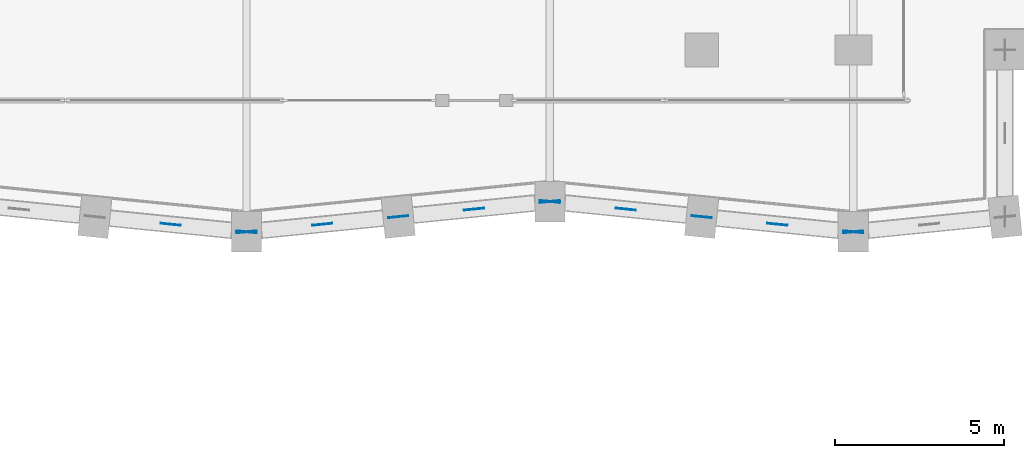
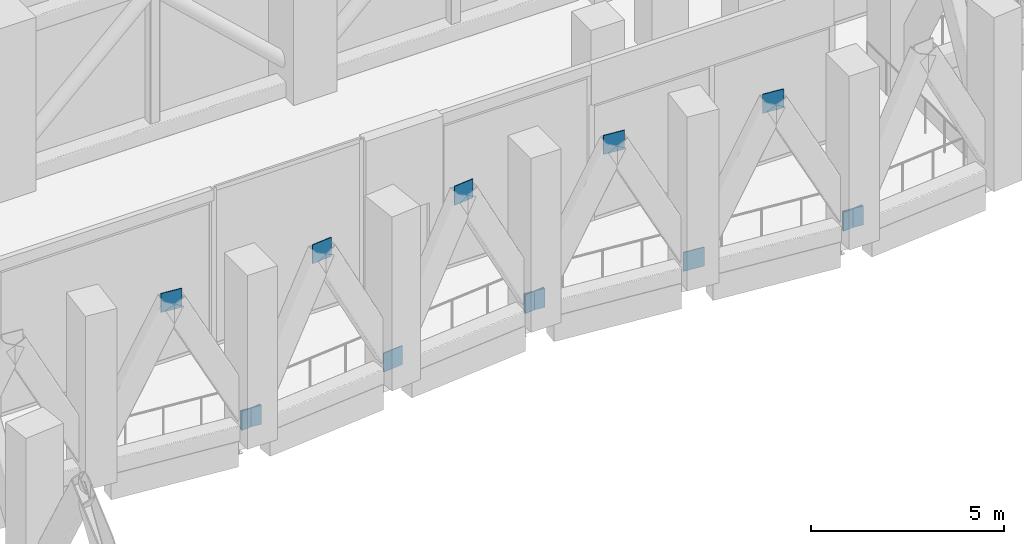
# One storey, part 28 of 37: 13 discrete accessories.
"""IFC4 building model written with IfcOpenShell, lengths in metres."""

from ifc_helpers import new_model, si_unit, direction, frame, origin, origin_2d, place, context, subcontext, project, spatial, rectangle, extrude, material, layer, layer_set, type_object, element, save


model = new_model("IFC4")

# Units and contexts
model_context = context("Model", 3, precision=1e-05, world=origin(), true_north=direction((0.0, 1.0)))
body_context = subcontext(model_context, "Body", "Model", "MODEL_VIEW")
ifc_project = project(units=[si_unit("LENGTHUNIT", "METRE"), si_unit("AREAUNIT", "SQUARE_METRE"), si_unit("VOLUMEUNIT", "CUBIC_METRE"), si_unit("PLANEANGLEUNIT", "RADIAN"), si_unit("MASSUNIT", "GRAM", prefix="KILO")], contexts=[model_context])

# Site, building, storey
site_placement = place(None, origin())
site = spatial("IfcSite", under=ifc_project, at=site_placement, CompositionType="ELEMENT")
building_placement = place(site_placement, origin())
building = spatial("IfcBuilding", under=site, at=building_placement, Name="Brondeck Convention Tower", CompositionType="ELEMENT")
storey_placement = place(building_placement, frame((0.0, 0.0, 137.89990234375)))
storey = spatial("IfcBuildingStorey", under=building, at=storey_placement, Name="L33", CompositionType="ELEMENT", Elevation=137.89990234375)

# Discrete accessories
ifc_material = material(Name="Steel S460", Category="steel")
ifc_layer = layer(ifc_material, 0.02490234375)
ifc_layer_set = layer_set([ifc_layer], Name="Gusset plate 600x600x25 Steel S460")
discrete_accessory_type = type_object("IfcDiscreteAccessoryType", Name="Gusset plate 600x600x25 Steel S460", PredefinedType="BRACKET", material=ifc_layer_set)
for number, where, z_axis, x_axis, name in (
    (1, (42.75, 26.324951171875, 4.550048828125), (0.0, 0.0, 1.0), (-0.9950364836, 0.099510784867, 0.0), "Gusset plate GP-373"),
    (2, (45.0, 26.10009765625, 0.199951171875), (0.0, 0.0, 1.0), (-0.9950364836, 0.099510784867, 0.0), "Gusset plate GP-374"),
    (3, (45.0, 26.10009765625, 0.199951171875), (0.0, 0.0, 1.0), (0.9950364836, 0.099510784867, 0.0), "Gusset plate GP-375"),
    (4, (47.25, 26.324951171875, 4.550048828125), (0.0, 0.0, 1.0), (0.9950364836, 0.099510784867, 0.0), "Gusset plate GP-376"),
    (5, (49.5, 26.550048828125, 0.199951171875), (0.0, 0.0, 1.0), (0.9950364836, 0.099510784867, 0.0), "Gusset plate GP-377"),
    (6, (51.75, 26.77490234375, 4.550048828125), (0.0, 0.0, 1.0), (0.9950364836, 0.099510784867, 0.0), "Gusset plate GP-378"),
    (7, (54.0, 27.0, 0.199951171875), (0.0, 0.0, 1.0), (0.9950364836, 0.099510784867, 0.0), "Gusset plate GP-379"),
    (8, (54.0, 27.0, 0.199951171875), (0.0, 0.0, 1.0), (-0.9950364836, 0.099510784867, 0.0), "Gusset plate GP-380"),
    (9, (56.25, 26.77490234375, 4.550048828125), (0.0, 0.0, 1.0), (-0.9950364836, 0.099510784867, 0.0), "Gusset plate GP-381"),
    (10, (58.5, 26.550048828125, 0.199951171875), (0.0, 0.0, 1.0), (-0.9950364836, 0.099510784867, 0.0), "Gusset plate GP-382"),
    (11, (60.75, 26.324951171875, 4.550048828125), (0.0, 0.0, 1.0), (-0.9950364836, 0.099510784867, 0.0), "Gusset plate GP-383"),
    (12, (63.0, 26.10009765625, 0.199951171875), (0.0, 0.0, 1.0), (-0.9950364836, 0.099510784867, 0.0), "Gusset plate GP-384"),
    (13, (63.0, 26.10009765625, 0.199951171875), (0.0, 0.0, 1.0), (0.9950364836, 0.099510784867, 0.0), "Gusset plate GP-385"),
):
    element("IfcDiscreteAccessory", number, at=place(storey_placement, frame(where, z_axis=z_axis, x_axis=x_axis)), inside=storey, type_object=discrete_accessory_type, Name=name, PredefinedType="BRACKET", context=body_context, shape_type="SweptSolid", body=[
        extrude(rectangle(XDim=0.60009765625, YDim=0.02490234375, at=origin_2d()), origin(), (0.0, 0.0, 1.0), 0.60009765625),
    ])

save(model, "model.ifc")
